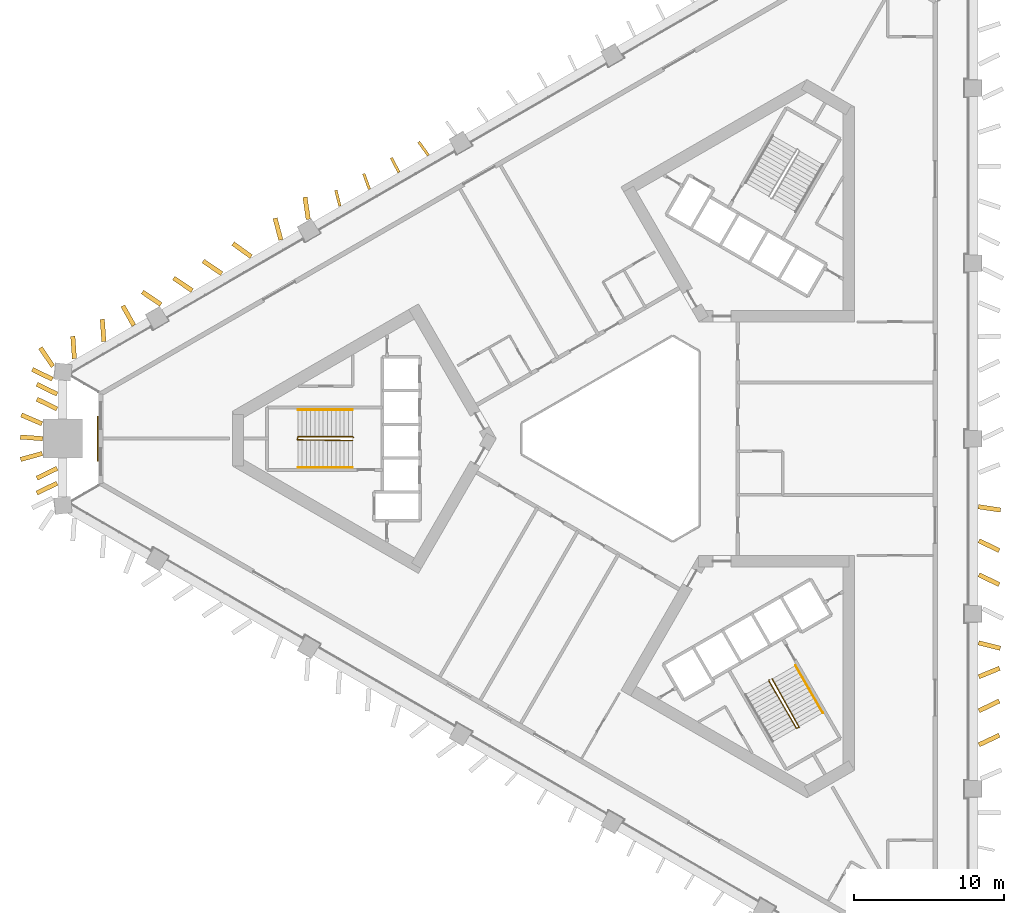
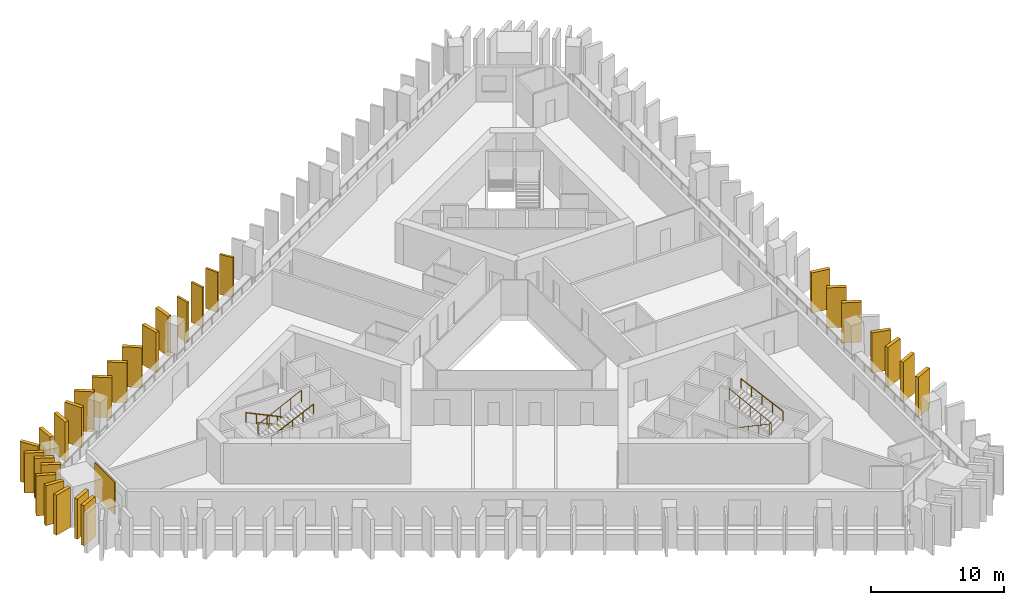
# One storey, part 9 of 11: 29 shading devices, 5 railings, 1 covering.
"""IFC4 building model written with IfcOpenShell, lengths in metres."""

from ifc_helpers import new_model, si_unit, direction, frame, frame_2d, origin, origin_2d, place, context, subcontext, project, spatial, rectangle, circle, extrude, material, layer, layer_set, type_object, element, save


model = new_model("IFC4")

# Units and contexts
model_context = context("Model", 3, precision=1e-05, world=origin(), true_north=direction((0.0, 1.0)))
body_context = subcontext(model_context, "Body", "Model", "MODEL_VIEW")
ifc_project = project(units=[si_unit("LENGTHUNIT", "METRE"), si_unit("AREAUNIT", "SQUARE_METRE"), si_unit("VOLUMEUNIT", "CUBIC_METRE"), si_unit("PLANEANGLEUNIT", "RADIAN"), si_unit("MASSUNIT", "GRAM", prefix="KILO")], contexts=[model_context])

# Site, building, storey
site_placement = place(None, origin())
site = spatial("IfcSite", under=ifc_project, at=site_placement, CompositionType="ELEMENT")
building_placement = place(site_placement, origin())
building = spatial("IfcBuilding", under=site, at=building_placement, Name="Jabali Bay Hotel Tower and Convention Centre", CompositionType="ELEMENT")
storey_placement = place(building_placement, frame((0.0, 0.0, 90.60009765625)))
storey = spatial("IfcBuildingStorey", under=building, at=storey_placement, Name="L21", CompositionType="ELEMENT", Elevation=90.60009765625)

# Shading devices
ifc_material_1 = material(Name="Precast concrete C60", Category="concrete")
ifc_layer_1 = layer(ifc_material_1, 0.179931640625)
ifc_layer_set_1 = layer_set([ifc_layer_1], Name="Precast concrete C60")
shading_device_type_1 = type_object("IfcShadingDeviceType", Name="Precast fin 3680 x 1100", PredefinedType="USERDEFINED", material=ifc_layer_set_1)
for number, where, z_axis, x_axis, name in (
    (1, (61.47119140625, 98.895263671875, 0.010009765625), (0.0, 0.0, 1.0), (-0.585952370362, 0.810345494013, 0.0), "Fin L21 050"),
    (2, (59.509521484375, 97.756103515625, 0.010009765625), (0.0, 0.0, 1.0), (-0.46655125145, 0.884494166046, 0.0), "Fin L21 051"),
):
    element("IfcShadingDevice", number, at=place(storey_placement, frame(where, z_axis=z_axis, x_axis=x_axis)), inside=storey, type_object=shading_device_type_1, Name=name, ObjectType="FIN", PredefinedType="USERDEFINED", context=body_context, shape_type="SweptSolid", body=[
        extrude(rectangle(XDim=1.099853515625, YDim=0.179931640625, at=frame_2d((0.5498046875, 0.0))), origin(), (0.0, 0.0, 1.0), 3.679931640625),
    ])
shading_device_1_placement = place(storey_placement, frame((57.538818359375, 96.63232421875, 0.010009765625), z_axis=(0.0, 0.0, 1.0), x_axis=(-0.341547046336, 0.939864679164, 0.0)))
element("IfcShadingDevice", 3, at=shading_device_1_placement, inside=storey, type_object=shading_device_type_1, Name="Fin L21 052", ObjectType="FIN", PredefinedType="USERDEFINED", context=body_context, shape_type="SweptSolid", body=[
    extrude(rectangle(XDim=1.10009765625, YDim=0.179931640625, at=frame_2d((0.550048828125, 0.0))), origin(), (0.0, 0.0, 1.0), 3.679931640625),
])
shading_device_2_placement = place(storey_placement, frame((55.569580078125, 95.505615234375, 0.010009765625), z_axis=(0.0, 0.0, 1.0), x_axis=(-0.245041635138, 0.969512556416, 0.0)))
element("IfcShadingDevice", 4, at=shading_device_2_placement, inside=storey, type_object=shading_device_type_1, Name="Fin L21 053", ObjectType="FIN", PredefinedType="USERDEFINED", context=body_context, shape_type="SweptSolid", body=[
    extrude(rectangle(XDim=1.099853515625, YDim=0.179931640625, at=frame_2d((0.5498046875, 0.0))), origin(), (0.0, 0.0, 1.0), 3.679931640625),
])
ifc_layer_2 = layer(ifc_material_1, 0.300048828125)
ifc_layer_set_2 = layer_set([ifc_layer_2], Name="Precast concrete C60")
shading_device_type_2 = type_object("IfcShadingDeviceType", Name="Precast fin 3680 x 1500", PredefinedType="USERDEFINED", material=ifc_layer_set_2)
for number, where, z_axis, x_axis, name in (
    (5, (98.182861328125, 59.582763671875, 0.010009765625), (0.0, 0.0, 1.0), (0.904663713134, 0.426126232635, 0.0), "Fin L21 004"),
    (6, (98.18408203125, 61.851318359375, 0.010009765625), (0.0, 0.0, 1.0), (0.900652682735, 0.434539693333, 0.0), "Fin L21 005"),
    (7, (98.176025390625, 64.119873046875, 0.010009765625), (0.0, 0.0, 1.0), (0.924967717453, 0.380045683662, 0.0), "Fin L21 006"),
    (8, (98.15576171875, 66.388427734375, 0.010009765625), (0.0, 0.0, 1.0), (0.96957498795, -0.244794490831, 0.0), "Fin L21 007"),
):
    element("IfcShadingDevice", number, at=place(storey_placement, frame(where, z_axis=z_axis, x_axis=x_axis)), inside=storey, type_object=shading_device_type_2, Name=name, ObjectType="FIN", PredefinedType="USERDEFINED", context=body_context, shape_type="SweptSolid", body=[
        extrude(rectangle(XDim=1.5, YDim=0.300048828125, at=frame_2d((0.75, 0.0))), origin(), (0.0, 0.0, 1.0), 3.679931640625),
    ])
shading_device_3_placement = place(storey_placement, frame((98.1845703125, 70.925537109375, 0.010009765625), z_axis=(0.0, 0.0, 1.0), x_axis=(0.899193548537, -0.437551096753, 0.0)))
element("IfcShadingDevice", 9, at=shading_device_3_placement, inside=storey, type_object=shading_device_type_2, Name="Fin L21 009", ObjectType="FIN", PredefinedType="USERDEFINED", context=body_context, shape_type="SweptSolid", body=[
    extrude(rectangle(XDim=1.499755859375, YDim=0.300048828125, at=frame_2d((0.75, 0.0))), origin(), (0.0, 0.0, 1.0), 3.679931640625),
])
for number, where, z_axis, x_axis, name in (
    (10, (98.1845703125, 73.1943359375, 0.010009765625), (0.0, 0.0, 1.0), (0.899129499022, -0.43768269784, 0.0), "Fin L21 010"),
    (11, (98.1416015625, 75.462890625, 0.010009765625), (0.0, 0.0, 1.0), (0.988626203745, -0.150393581208, 0.0), "Fin L21 011"),
    (12, (53.460693359375, 94.62109375, 0.010009765625), (0.0, 0.0, 1.0), (-0.144861366331, 0.989451961717, 0.0), "Fin L21 054"),
    (13, (51.633056640625, 93.249755859375, 0.010009765625), (0.0, 0.0, 1.0), (-0.255838880915, 0.96671943552, 0.0), "Fin L21 055"),
    (14, (49.6572265625, 92.135009765625, 0.010009765625), (0.0, 0.0, 1.0), (-0.811870713187, 0.583837259062, 0.0), "Fin L21 056"),
):
    element("IfcShadingDevice", number, at=place(storey_placement, frame(where, z_axis=z_axis, x_axis=x_axis)), inside=storey, type_object=shading_device_type_2, Name=name, ObjectType="FIN", PredefinedType="USERDEFINED", context=body_context, shape_type="SweptSolid", body=[
        extrude(rectangle(XDim=1.5, YDim=0.300048828125, at=frame_2d((0.75, 0.0))), origin(), (0.0, 0.0, 1.0), 3.679931640625),
    ])
shading_device_4_placement = place(storey_placement, frame((47.690673828125, 91.00390625, 0.010009765625), z_axis=(0.0, 0.0, 1.0), x_axis=(-0.827718747674, 0.561143185604, 0.0)))
element("IfcShadingDevice", 15, at=shading_device_4_placement, inside=storey, type_object=shading_device_type_2, Name="Fin L21 057", ObjectType="FIN", PredefinedType="USERDEFINED", context=body_context, shape_type="SweptSolid", body=[
    extrude(rectangle(XDim=1.500244140625, YDim=0.300048828125, at=frame_2d((0.75, 0.0))), origin(), (0.0, 0.0, 1.0), 3.679931640625),
])
for number, where, z_axis, x_axis, name in (
    (16, (45.725830078125, 89.869873046875, 0.010009765625), (0.0, 0.0, 1.0), (-0.828325624162, 0.560246963719, 0.0), "Fin L21 058"),
    (17, (43.640380859375, 88.94482421875, 0.010009765625), (0.0, 0.0, 1.0), (-0.828578765843, 0.559872511196, 0.0), "Fin L21 059"),
):
    element("IfcShadingDevice", number, at=place(storey_placement, frame(where, z_axis=z_axis, x_axis=x_axis)), inside=storey, type_object=shading_device_type_2, Name=name, ObjectType="FIN", PredefinedType="USERDEFINED", context=body_context, shape_type="SweptSolid", body=[
        extrude(rectangle(XDim=1.5, YDim=0.300048828125, at=frame_2d((0.75, 0.0))), origin(), (0.0, 0.0, 1.0), 3.679931640625),
    ])
for number, where, z_axis, x_axis, name in (
    (18, (41.828125, 87.54638671875, 0.010009765625), (0.0, 0.0, 1.0), (-0.487190082233, 0.873295954287, 0.0), "Fin L21 060"),
    (19, (39.831787109375, 86.467041015625, 0.010009765625), (0.0, 0.0, 1.0), (-0.070483535293, 0.9975129429, 0.0), "Fin L21 061"),
):
    element("IfcShadingDevice", number, at=place(storey_placement, frame(where, z_axis=z_axis, x_axis=x_axis)), inside=storey, type_object=shading_device_type_2, Name=name, ObjectType="FIN", PredefinedType="USERDEFINED", context=body_context, shape_type="SweptSolid", body=[
        extrude(rectangle(XDim=1.499755859375, YDim=0.300048828125, at=frame_2d((0.75, 0.0))), origin(), (0.0, 0.0, 1.0), 3.679931640625),
    ])
for number, where, z_axis, x_axis, name in (
    (20, (37.8671875, 85.33251953125, 0.010009765625), (0.0, 0.0, 1.0), (-0.070472092405, 0.99751375138, 0.0), "Fin L21 062"),
    (21, (36.402587890625, 83.96044921875, 0.010009765625), (0.0, 0.0, 1.0), (-0.899129499022, 0.43768269784, 0.0), "Fin L21 063"),
    (22, (36.71142578125, 82.97021484375, 0.010009765625), (0.0, 0.0, 1.0), (-0.899129499022, 0.43768269784, 0.0), "Fin L21 064"),
    (23, (36.71142578125, 81.980224609375, 0.010009765625), (0.0, 0.0, 1.0), (-0.899129499022, 0.43768269784, 0.0), "Fin L21 065"),
):
    element("IfcShadingDevice", number, at=place(storey_placement, frame(where, z_axis=z_axis, x_axis=x_axis)), inside=storey, type_object=shading_device_type_2, Name=name, ObjectType="FIN", PredefinedType="USERDEFINED", context=body_context, shape_type="SweptSolid", body=[
        extrude(rectangle(XDim=1.5, YDim=0.300048828125, at=frame_2d((0.75, 0.0))), origin(), (0.0, 0.0, 1.0), 3.679931640625),
    ])
shading_device_5_placement = place(storey_placement, frame((35.70556640625, 80.989990234375, 0.010009765625), z_axis=(0.0, 0.0, 1.0), x_axis=(-0.918833290936, 0.394645896302, 0.0)))
element("IfcShadingDevice", 24, at=shading_device_5_placement, inside=storey, type_object=shading_device_type_2, Name="Fin L21 066", ObjectType="FIN", PredefinedType="USERDEFINED", context=body_context, shape_type="SweptSolid", body=[
    extrude(rectangle(XDim=1.500244140625, YDim=0.300048828125, at=frame_2d((0.75, 0.0))), origin(), (0.0, 0.0, 1.0), 3.679931640625),
])
for number, where, z_axis, x_axis, name in (
    (25, (35.75390625, 80.0, 0.010009765625), (0.0, 0.0, 1.0), (-0.997373732093, 0.07242678048, 0.0), "Fin L21 067"),
    (26, (35.72509765625, 79.010009765625, 0.010009765625), (0.0, 0.0, 1.0), (-0.964523032792, -0.263998710629, 0.0), "Fin L21 068"),
    (27, (36.71142578125, 78.019775390625, 0.010009765625), (0.0, 0.0, 1.0), (-0.899129499022, -0.43768269784, 0.0), "Fin L21 069"),
    (28, (36.71142578125, 77.02978515625, 0.010009765625), (0.0, 0.0, 1.0), (-0.899129499022, -0.43768269784, 0.0), "Fin L21 070"),
    (29, (36.4384765625, 84.81640625, 0.010009765625), (0.0, 0.0, 1.0), (-0.559872511196, 0.828578765843, 0.0), "Fin L21 111"),
):
    element("IfcShadingDevice", number, at=place(storey_placement, frame(where, z_axis=z_axis, x_axis=x_axis)), inside=storey, type_object=shading_device_type_2, Name=name, ObjectType="FIN", PredefinedType="USERDEFINED", context=body_context, shape_type="SweptSolid", body=[
        extrude(rectangle(XDim=1.5, YDim=0.300048828125, at=frame_2d((0.75, 0.0))), origin(), (0.0, 0.0, 1.0), 3.679931640625),
    ])

# Covering
ifc_material_2 = material(Name="Precast concrete C40/50", Category="concrete")
ifc_layer_3 = layer(ifc_material_2, 0.080078125)
ifc_layer_set_3 = layer_set([ifc_layer_3], Name="Precast concrete C40/50")
covering_type = type_object("IfcCoveringType", Name="Relief panel 3000 x 3000", PredefinedType="CLADDING", material=ifc_layer_set_3)
covering_placement = place(storey_placement, frame((39.423828125, 80.0, 0.099853515625), z_axis=(0.0, 0.0, 1.0), x_axis=(0.0, 1.0, 0.0)))
element("IfcCovering", 30, at=covering_placement, inside=storey, type_object=covering_type, Name="Relief panel L21", PredefinedType="CLADDING", context=body_context, shape_type="SweptSolid", body=[
    extrude(rectangle(XDim=3.0, YDim=0.080078125, at=origin_2d()), origin(), (0.0, 0.0, 1.0), 3.0),
])

# Railings
ifc_material_3 = material(Name="Steel Q355B", Category="steel")
railing_type_1 = type_object("IfcRailingType", Name="Stair guard 1100", PredefinedType="GUARDRAIL", material=ifc_material_3)
railing_1_placement = place(storey_placement, frame((56.469970703125, 80.074951171875, 0.0)))
element("IfcRailing", 31, at=railing_1_placement, inside=storey, type_object=railing_type_1, Name="L21 ST1 stair guard 1", PredefinedType="GUARDRAIL", context=body_context, shape_type="SweptSolid", body=[
    extrude(circle(Radius=0.02392578125, at=origin_2d()), frame((0.0, 0.0, 1.076171875), z_axis=(-0.333993628408, 0.333993628408, 0.881417331555), x_axis=(-0.707106781187, -0.707106781187, 0.0)), (0.0, 0.0, 1.0), 0.14990234375),
    extrude(circle(Radius=0.02392578125, at=origin_2d()), frame((-0.050048828125, 0.050048828125, 1.2080078125), z_axis=(-0.904350763662, 0.0, 0.426789990819), x_axis=(0.0, -1.0, 0.0)), (0.0, 0.0, 1.0), 4.02490234375),
    extrude(circle(Radius=0.02392578125, at=origin_2d()), frame((-3.68994140625, 0.050048828125, 2.92578125), z_axis=(-0.242814311512, -0.970072785993, 0.0), x_axis=(0.970072785993, -0.242814311512, 0.0)), (0.0, 0.0, 1.0), 0.2060546875),
    extrude(circle(Radius=0.02392578125, at=origin_2d()), frame((-3.739990234375, -0.14990234375, 2.92578125), z_axis=(0.893864111827, -0.012124000458, 0.448174026692), x_axis=(0.013562335953, 0.999908027292, 0.0)), (0.0, 0.0, 1.0), 4.128173828125),
    extrude(circle(Radius=0.02099609375, at=origin_2d()), origin(), (0.0, 0.0, 1.0), 1.052001953125),
    extrude(circle(Radius=0.02099609375, at=origin_2d()), frame((-0.050048828125, 0.050048828125, 0.132080078125)), (0.0, 0.0, 1.0), 1.052001953125),
    extrude(circle(Radius=0.02099609375, at=origin_2d()), frame((-0.9599609375, 0.050048828125, 0.5615234375)), (0.0, 0.0, 1.0), 1.052001953125),
    extrude(circle(Radius=0.02099609375, at=origin_2d()), frame((-1.8701171875, 0.050048828125, 0.990966796875)), (0.0, 0.0, 1.0), 1.052001953125),
    extrude(circle(Radius=0.02099609375, at=origin_2d()), frame((-2.780029296875, 0.050048828125, 1.42041015625)), (0.0, 0.0, 1.0), 1.052001953125),
    extrude(circle(Radius=0.02099609375, at=origin_2d()), frame((-3.68994140625, 0.050048828125, 1.849853515625)), (0.0, 0.0, 1.0), 1.052001953125),
    extrude(circle(Radius=0.02099609375, at=origin_2d()), frame((-3.739990234375, -0.14990234375, 1.849853515625)), (0.0, 0.0, 1.0), 1.052001953125),
    extrude(circle(Radius=0.02099609375, at=origin_2d()), frame((-2.8173828125, -0.162353515625, 2.3125)), (0.0, 0.0, 1.0), 1.052001953125),
    extrude(circle(Radius=0.02099609375, at=origin_2d()), frame((-1.89501953125, -0.1748046875, 2.77490234375)), (0.0, 0.0, 1.0), 1.052001953125),
    extrude(circle(Radius=0.02099609375, at=origin_2d()), frame((-0.97265625, -0.1875, 3.2373046875)), (0.0, 0.0, 1.0), 1.052001953125),
    extrude(circle(Radius=0.02099609375, at=origin_2d()), frame((-0.050048828125, -0.199951171875, 3.699951171875)), (0.0, 0.0, 1.0), 1.052001953125),
])
railing_2_placement = place(storey_placement, frame((84.199951171875, 63.9150390625, 0.0)))
element("IfcRailing", 32, at=railing_2_placement, inside=storey, type_object=railing_type_1, Name="L21 ST3 stair guard 1", PredefinedType="GUARDRAIL", context=body_context, shape_type="SweptSolid", body=[
    extrude(circle(Radius=0.02392578125, at=origin_2d()), frame((0.0, 0.0, 1.076171875), z_axis=(-0.122196845461, -0.456201556387, 0.881446578591), x_axis=(0.965948051503, -0.258736085224, 0.0)), (0.0, 0.0, 1.0), 0.14990234375),
    extrude(circle(Radius=0.02392578125, at=origin_2d()), frame((-0.018310546875, -0.068359375, 1.2080078125), z_axis=(0.452190331055, -0.783190014029, 0.426775475427), x_axis=(0.866018046521, 0.500012742938, 0.0)), (0.0, 0.0, 1.0), 4.02490234375),
    extrude(circle(Radius=0.02392578125, at=origin_2d()), frame((1.8017578125, -3.220703125, 2.92578125), z_axis=(0.96121063429, 0.275815366736, 0.0), x_axis=(-0.275815366736, 0.96121063429, 0.0)), (0.0, 0.0, 1.0), 0.206298828125),
    extrude(circle(Radius=0.02392578125, at=origin_2d()), frame((2.0, -3.163818359375, 2.92578125), z_axis=(-0.436470229993, 0.780146179382, 0.448180406895), x_axis=(-0.872702246529, -0.488252792008, 0.0)), (0.0, 0.0, 1.0), 4.1279296875),
    extrude(circle(Radius=0.02099609375, at=origin_2d()), origin(), (0.0, 0.0, 1.0), 1.052001953125),
    extrude(circle(Radius=0.02099609375, at=origin_2d()), frame((-0.018310546875, -0.068359375, 0.132080078125)), (0.0, 0.0, 1.0), 1.052001953125),
    extrude(circle(Radius=0.02099609375, at=origin_2d()), frame((0.436767578125, -0.8564453125, 0.5615234375)), (0.0, 0.0, 1.0), 1.052001953125),
    extrude(circle(Radius=0.02099609375, at=origin_2d()), frame((0.8916015625, -1.64453125, 0.990966796875)), (0.0, 0.0, 1.0), 1.052001953125),
    extrude(circle(Radius=0.02099609375, at=origin_2d()), frame((1.3466796875, -2.4326171875, 1.42041015625)), (0.0, 0.0, 1.0), 1.052001953125),
    extrude(circle(Radius=0.02099609375, at=origin_2d()), frame((1.8017578125, -3.220703125, 1.849853515625)), (0.0, 0.0, 1.0), 1.052001953125),
    extrude(circle(Radius=0.02099609375, at=origin_2d()), frame((2.0, -3.163818359375, 1.849853515625)), (0.0, 0.0, 1.0), 1.052001953125),
    extrude(circle(Radius=0.02099609375, at=origin_2d()), frame((1.549560546875, -2.358642578125, 2.3125)), (0.0, 0.0, 1.0), 1.052001953125),
    extrude(circle(Radius=0.02099609375, at=origin_2d()), frame((1.09912109375, -1.5537109375, 2.77490234375)), (0.0, 0.0, 1.0), 1.052001953125),
    extrude(circle(Radius=0.02099609375, at=origin_2d()), frame((0.648681640625, -0.74853515625, 3.2373046875)), (0.0, 0.0, 1.0), 1.052001953125),
    extrude(circle(Radius=0.02099609375, at=origin_2d()), frame((0.1982421875, 0.056640625, 3.699951171875)), (0.0, 0.0, 1.0), 1.052001953125),
])
railing_type_2 = type_object("IfcRailingType", Name="Stair handrail 900", PredefinedType="HANDRAIL", material=ifc_material_3)
railing_3_placement = place(storey_placement, frame((56.419921875, 81.925048828125, 0.132080078125)))
element("IfcRailing", 33, at=railing_3_placement, inside=storey, type_object=railing_type_2, Name="L21 ST1 stair handrail 1", PredefinedType="HANDRAIL", context=body_context, shape_type="SweptSolid", body=[
    extrude(circle(Radius=0.02392578125, at=origin_2d()), frame((0.0, 0.0, 0.8759765625), z_axis=(-0.904350763662, 0.0, 0.426789990819), x_axis=(0.0, -1.0, 0.0)), (0.0, 0.0, 1.0), 4.02490234375),
    extrude(circle(Radius=0.02099609375, at=origin_2d()), origin(), (0.0, 0.0, 1.0), 0.851806640625),
    extrude(circle(Radius=0.02099609375, at=origin_2d()), frame((-0.909912109375, 0.0, 0.429443359375)), (0.0, 0.0, 1.0), 0.851806640625),
    extrude(circle(Radius=0.02099609375, at=origin_2d()), frame((-1.81982421875, 0.0, 0.85888671875)), (0.0, 0.0, 1.0), 0.851806640625),
    extrude(circle(Radius=0.02099609375, at=origin_2d()), frame((-2.72998046875, 0.0, 1.288330078125)), (0.0, 0.0, 1.0), 0.851806640625),
    extrude(circle(Radius=0.02099609375, at=origin_2d()), frame((-3.639892578125, 0.0, 1.7177734375)), (0.0, 0.0, 1.0), 0.851806640625),
])
railing_4_placement = place(storey_placement, frame((52.780029296875, 78.074951171875, 1.98193359375)))
element("IfcRailing", 34, at=railing_4_placement, inside=storey, type_object=railing_type_2, Name="L21 ST1 stair handrail 2", PredefinedType="HANDRAIL", context=body_context, shape_type="SweptSolid", body=[
    extrude(circle(Radius=0.02392578125, at=origin_2d()), frame((0.0, 0.0, 0.8759765625), z_axis=(0.904327350853, 0.0, 0.426839598092), x_axis=(0.0, 1.0, 0.0)), (0.0, 0.0, 1.0), 4.02490234375),
    extrude(circle(Radius=0.02099609375, at=origin_2d()), origin(), (0.0, 0.0, 1.0), 0.851806640625),
    extrude(circle(Radius=0.02099609375, at=origin_2d()), frame((0.909912109375, 0.0, 0.429443359375)), (0.0, 0.0, 1.0), 0.851806640625),
    extrude(circle(Radius=0.02099609375, at=origin_2d()), frame((1.81982421875, 0.0, 0.85888671875)), (0.0, 0.0, 1.0), 0.851806640625),
    extrude(circle(Radius=0.02099609375, at=origin_2d()), frame((2.72998046875, 0.0, 1.28857421875)), (0.0, 0.0, 1.0), 0.851806640625),
    extrude(circle(Radius=0.02099609375, at=origin_2d()), frame((3.639892578125, 0.0, 1.718017578125)), (0.0, 0.0, 1.0), 0.851806640625),
])
railing_5_placement = place(storey_placement, frame((87.777099609375, 61.719482421875, 1.98193359375)))
element("IfcRailing", 35, at=railing_5_placement, inside=storey, type_object=railing_type_2, Name="L21 ST3 stair handrail 2", PredefinedType="HANDRAIL", context=body_context, shape_type="SweptSolid", body=[
    extrude(circle(Radius=0.02392578125, at=origin_2d()), frame((0.0, 0.0, 0.8759765625), z_axis=(-0.45217862506, 0.783169739339, 0.426825081763), x_axis=(-0.866018046521, -0.500012742938, 0.0)), (0.0, 0.0, 1.0), 4.025146484375),
    extrude(circle(Radius=0.02099609375, at=origin_2d()), origin(), (0.0, 0.0, 1.0), 0.851806640625),
    extrude(circle(Radius=0.02099609375, at=origin_2d()), frame((-0.455078125, 0.7880859375, 0.429443359375)), (0.0, 0.0, 1.0), 0.851806640625),
    extrude(circle(Radius=0.02099609375, at=origin_2d()), frame((-0.91015625, 1.576171875, 0.85888671875)), (0.0, 0.0, 1.0), 0.851806640625),
    extrude(circle(Radius=0.02099609375, at=origin_2d()), frame((-1.364990234375, 2.3642578125, 1.28857421875)), (0.0, 0.0, 1.0), 0.851806640625),
    extrude(circle(Radius=0.02099609375, at=origin_2d()), frame((-1.820068359375, 3.15234375, 1.718017578125)), (0.0, 0.0, 1.0), 0.851806640625),
])

save(model, "model.ifc")
